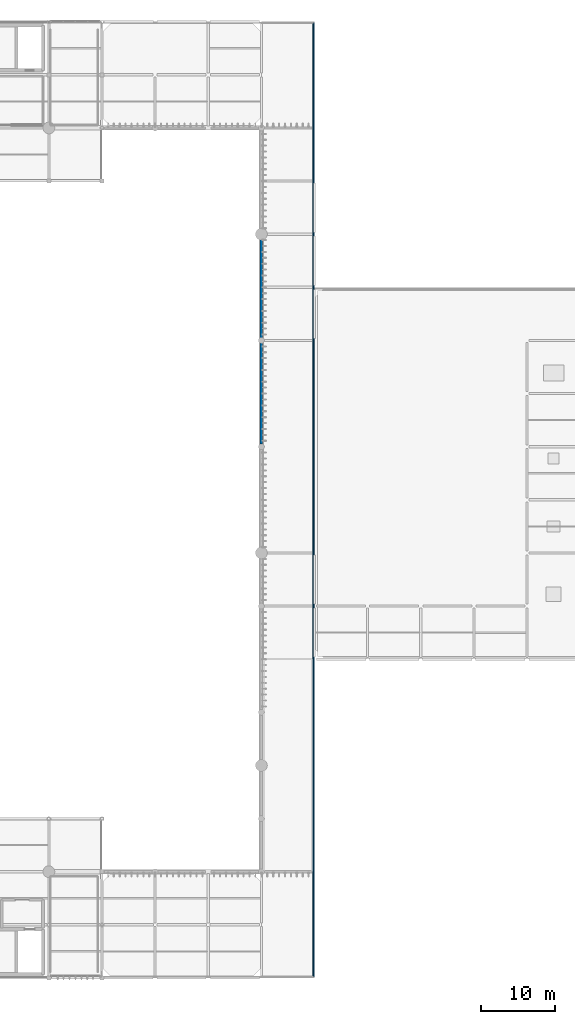
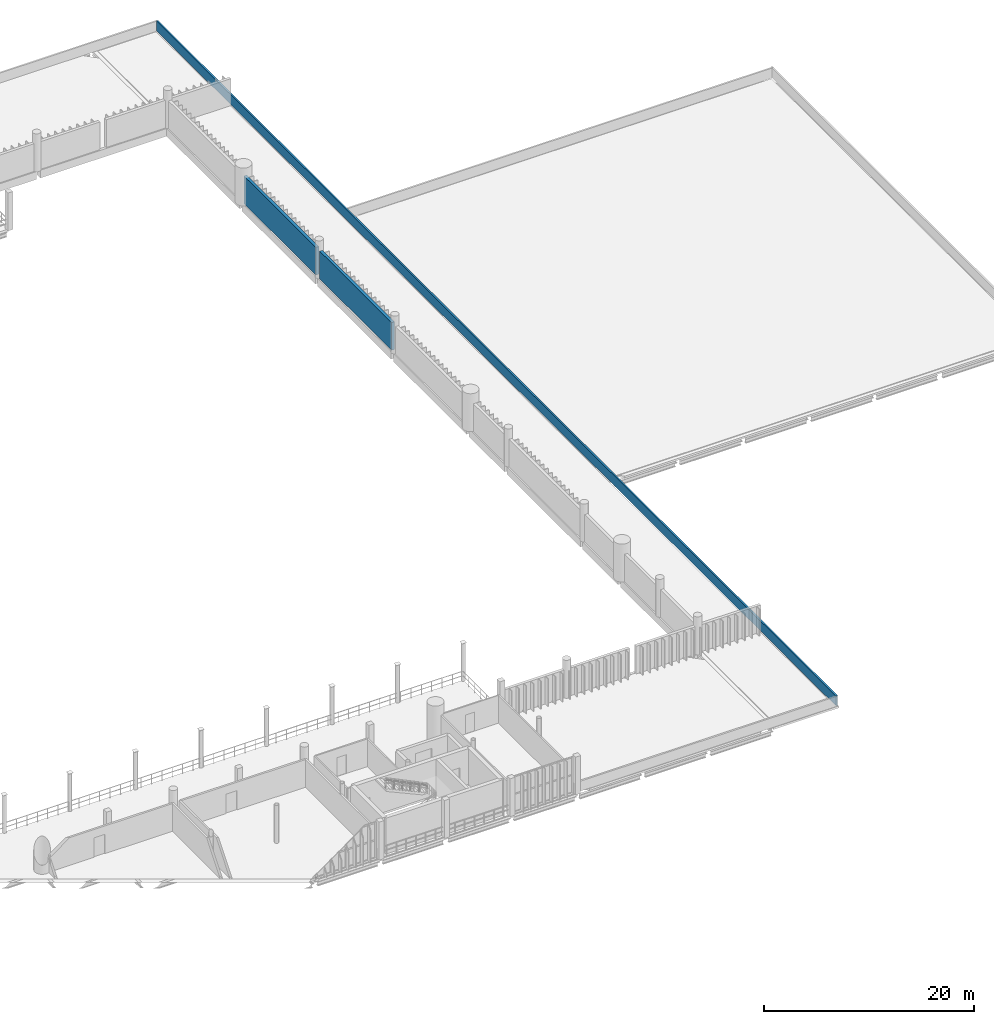
# One storey, part 61 of 81: 3 walls.
"""IFC4 building model written with IfcOpenShell, lengths in metres."""

from ifc_helpers import new_model, si_unit, direction, frame, frame_2d, origin, place, context, subcontext, project, spatial, rectangle, extrude, material, layer, layer_set, type_object, element, save


model = new_model("IFC4")

# Units and contexts
model_context = context("Model", 3, precision=1e-05, world=origin(), true_north=direction((0.0, 1.0)))
body_context = subcontext(model_context, "Body", "Model", "MODEL_VIEW")
ifc_project = project(units=[si_unit("LENGTHUNIT", "METRE"), si_unit("AREAUNIT", "SQUARE_METRE"), si_unit("VOLUMEUNIT", "CUBIC_METRE"), si_unit("PLANEANGLEUNIT", "RADIAN"), si_unit("MASSUNIT", "GRAM", prefix="KILO")], contexts=[model_context])

# Site, building, storey
site_placement = place(None, origin())
site = spatial("IfcSite", under=ifc_project, at=site_placement, CompositionType="ELEMENT")
building_placement = place(site_placement, origin())
building = spatial("IfcBuilding", under=site, at=building_placement, Name="Qandorah Velis Arena", CompositionType="ELEMENT")
storey_placement = place(building_placement, frame((0.0, 0.0, 18.60009765625)))
storey = spatial("IfcBuildingStorey", under=building, at=storey_placement, Name="L04", CompositionType="ELEMENT", Elevation=18.60009765625)

# Walls
ifc_material = material(Name="Precast concrete C40/50", Category="concrete")
ifc_layer_1 = layer(ifc_material, 0.320068359375)
ifc_layer_set_1 = layer_set([ifc_layer_1], Name="Precast concrete C40/50")
wall_type_1 = type_object("IfcWallType", Name="ARC-WAL-BOWL320", PredefinedType="SOLIDWALL", material=ifc_layer_set_1)
for number, where, z_axis, x_axis, name in (
    (1, (115.199951171875, 72.35009765625, 0.0), (0.0, 0.0, 1.0), (0.0, 1.0, 0.0), "Arena bowl acoustic drum wall 2.6 (L04)"),
    (2, (115.199951171875, 86.75, 0.0), (0.0, 0.0, 1.0), (0.0, 1.0, 0.0), "Arena bowl acoustic drum wall 2.7 (L04)"),
):
    element("IfcWall", number, at=place(storey_placement, frame(where, z_axis=z_axis, x_axis=x_axis)), inside=storey, type_object=wall_type_1, Name=name, PredefinedType="SOLIDWALL", context=body_context, shape_type="SweptSolid", body=[
        extrude(rectangle(XDim=13.699951171875, YDim=0.320068359375, at=frame_2d((6.85009765625, 0.0))), origin(), (0.0, 0.0, 1.0), 3.2099609375),
    ])
ifc_layer_2 = layer(ifc_material, 0.179931640625)
ifc_layer_set_2 = layer_set([ifc_layer_2], Name="Precast concrete C40/50")
wall_type_2 = type_object("IfcWallType", Name="ARC-WAL-PAR180", PredefinedType="PARAPET", material=ifc_layer_set_2)
wall_placement = place(storey_placement, frame((122.25, 0.14990234375, 0.0), z_axis=(0.0, 0.0, 1.0), x_axis=(0.0, 1.0, 0.0)))
element("IfcWall", 3, at=wall_placement, inside=storey, type_object=wall_type_2, Name="Roof perimeter parapet wall PW-11", PredefinedType="PARAPET", context=body_context, shape_type="SweptSolid", body=[
    extrude(rectangle(XDim=129.300048828125, YDim=0.179931640625, at=frame_2d((64.64990234375, 0.0))), origin(), (0.0, 0.0, 1.0), 1.14990234375),
])

save(model, "model.ifc")
